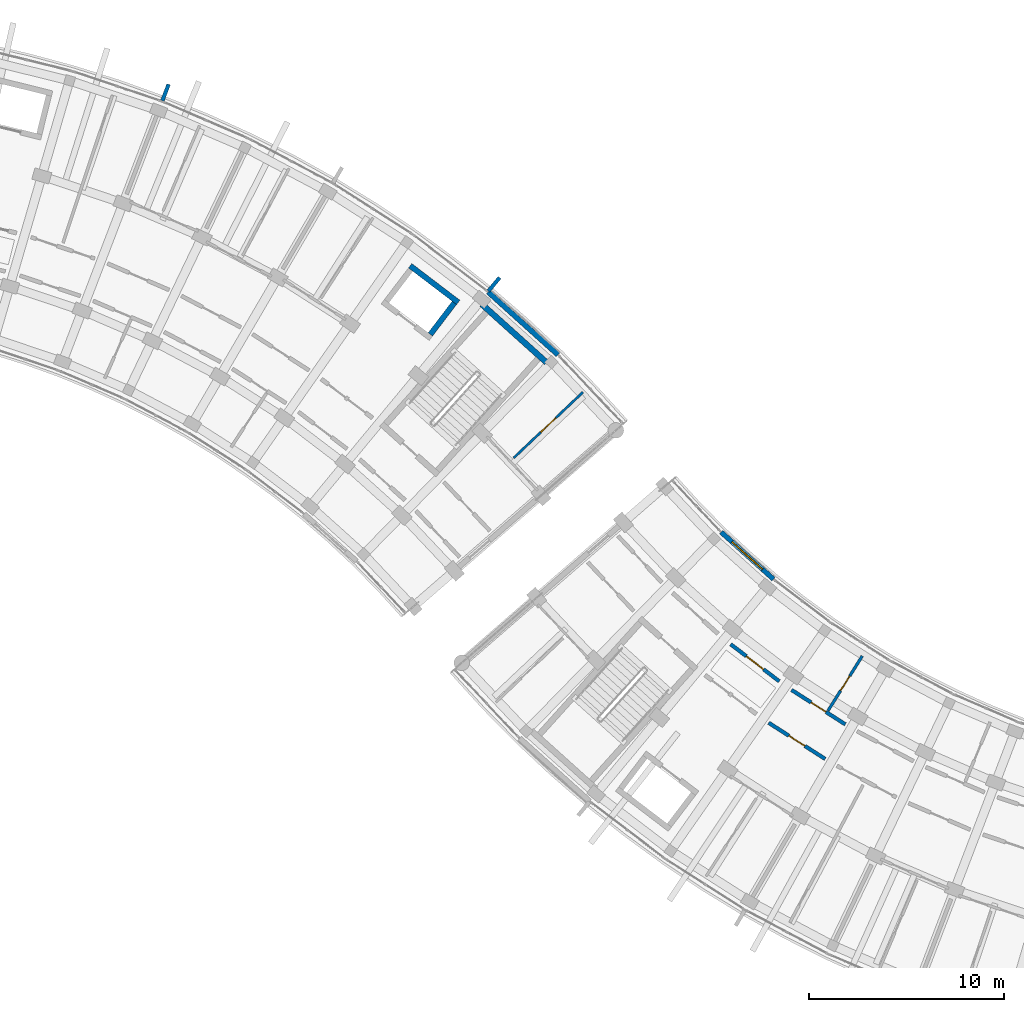
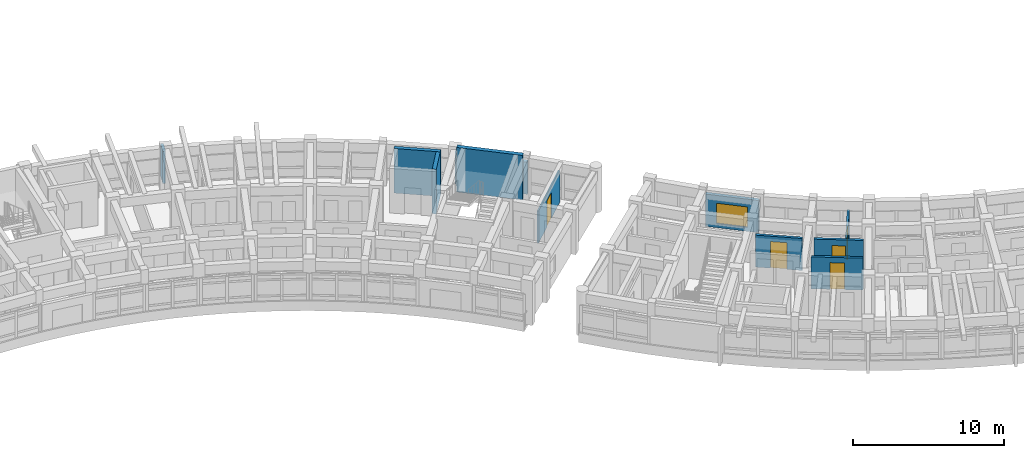
# One storey, part 65 of 83: 12 walls, 5 doors, 1 window, 6 openings.
"""IFC4 building model written with IfcOpenShell, lengths in metres."""

from ifc_helpers import new_model, si_unit, direction, frame, frame_2d, origin, place, context, subcontext, project, spatial, rectangle, extrude, material, layer, layer_set, type_object, element, fill, save


model = new_model("IFC4")

# Units and contexts
model_context = context("Model", 3, precision=1e-05, world=origin(), true_north=direction((0.0, 1.0)))
body_context = subcontext(model_context, "Body", "Model", "MODEL_VIEW")
ifc_project = project(units=[si_unit("LENGTHUNIT", "METRE"), si_unit("AREAUNIT", "SQUARE_METRE"), si_unit("VOLUMEUNIT", "CUBIC_METRE"), si_unit("PLANEANGLEUNIT", "RADIAN"), si_unit("MASSUNIT", "GRAM", prefix="KILO")], contexts=[model_context])

# Site, building, storey
site_placement = place(None, origin())
site = spatial("IfcSite", under=ifc_project, at=site_placement, CompositionType="ELEMENT")
building_placement = place(site_placement, origin())
building = spatial("IfcBuilding", under=site, at=building_placement, Name="Zimvara Arc Housing Community", CompositionType="ELEMENT")
storey_placement = place(building_placement, frame((0.0, 0.0, 4.5)))
storey = spatial("IfcBuildingStorey", under=building, at=storey_placement, Name="L01", CompositionType="ELEMENT", Elevation=4.5)

# Walls
ifc_material_1 = material(Name="Board-Marked Fair-Faced Concrete C35/45", Category="concrete")
ifc_layer_1 = layer(ifc_material_1, 0.195068359375)
ifc_layer_set_1 = layer_set([ifc_layer_1], Name="Board-Marked Fair-Faced Concrete C35/45")
wall_type_1 = type_object("IfcWallType", Name="EWL-PARA-195", PredefinedType="PARAPET", material=ifc_layer_set_1)
for number, where, z_axis, x_axis, name in (
    (1, (66.216796875, 100.0029296875, 0.0), (0.0, 0.0, 1.0), (0.356942580168, 0.934126326823, 0.0), "finwall:blkB:L01:out:b4"),
    (2, (82.90771484375, 90.25732421875, 0.0), (0.0, 0.0, 1.0), (0.637967316825, 0.770063440674, 0.0), "finwall:blkB:L01:out:b8"),
):
    element("IfcWall", number, at=place(storey_placement, frame(where, z_axis=z_axis, x_axis=x_axis)), inside=storey, type_object=wall_type_1, Name=name, PredefinedType="PARAPET", context=body_context, shape_type="SweptSolid", body=[
        extrude(rectangle(XDim=0.900146484375, YDim=0.195068359375, at=frame_2d((0.4501953125, 0.0))), origin(), (0.0, 0.0, 1.0), 2.60009765625),
    ])

# Wall, opening, window
ifc_material_2 = material(Name="Pigmented Fair-Faced Concrete C35/45", Category="concrete")
ifc_layer_2 = layer(ifc_material_2, 0.2451171875)
ifc_layer_set_2 = layer_set([ifc_layer_2], Name="Pigmented Fair-Faced Concrete C35/45")
wall_type_2 = type_object("IfcWallType", Name="EWL-PIGM-245", PredefinedType="SOLIDWALL", material=ifc_layer_set_2)
wall_1_placement = place(storey_placement, frame((94.8203125, 77.92333984375, 0.0), z_axis=(0.0, 0.0, 1.0), x_axis=(0.743385092197, -0.668863666751, 0.0)))
wall_1 = element("IfcWall", 3, at=wall_1_placement, inside=storey, type_object=wall_type_2, Name="ewall:blkC:L01:in:b1", PredefinedType="SOLIDWALL", context=body_context, shape_type="SweptSolid", body=[
    extrude(rectangle(XDim=3.603759765625, YDim=0.2451171875, at=frame_2d((1.8017578125, 0.0))), origin(), (0.0, 0.0, 1.0), 2.60009765625),
])
opening_1_placement = place(wall_1_placement, frame((0.751708984375, 0.0, 0.320068359375)))
opening_1 = element("IfcOpeningElement", 4, at=opening_1_placement, cuts=wall_1, Name="Opening W09", PredefinedType="OPENING", context=body_context, shape_type="SweptSolid", body=[
    extrude(rectangle(XDim=2.10009765625, YDim=1.64990234375, at=frame_2d((1.050048828125, 0.824951171875))), frame((0.0, 0.132568359375, 0.0), z_axis=(0.0, -1.0, 0.0), x_axis=(1.0, 0.0, 0.0)), (0.0, 0.0, 1.0), 0.26513671875),
])
ifc_material_3 = material(Name="Solar Control Low-E Double Glazing", Category="glass")
window_type = type_object("IfcWindowType", Name="WIN-RES-2100x1650", PartitioningType="TRIPLE_PANEL_VERTICAL", PredefinedType="WINDOW", material=ifc_material_3)
window_placement = place(opening_1_placement, origin())
window = element("IfcWindow", 5, at=window_placement, inside=storey, type_object=window_type, Name="win:blkC:L01:in:b1", OverallHeight=1.64990234375, OverallWidth=2.10009765625, PartitioningType="TRIPLE_PANEL_VERTICAL", PredefinedType="WINDOW", context=body_context, shape_type="SweptSolid", body=[
    extrude(rectangle(XDim=2.10009765625, YDim=1.64990234375, at=frame_2d((1.050048828125, 0.824951171875))), frame((0.0, 0.030029296875, 0.0), z_axis=(0.0, -1.0, 0.0), x_axis=(1.0, 0.0, 0.0)), (0.0, 0.0, 1.0), 0.06005859375),
])
fill(opening_1, window)

# Wall
ifc_material_4 = material(Name="Board-Marked Fair-Faced Concrete C35/45", Category="concrete")
ifc_layer_3 = layer(ifc_material_4, 0.26806640625)
ifc_layer_set_3 = layer_set([ifc_layer_3], Name="Board-Marked Fair-Faced Concrete C35/45")
wall_type_3 = type_object("IfcWallType", Name="EWL-VAR-21", PredefinedType="SOLIDWALL", material=ifc_layer_set_3)
wall_2_placement = place(storey_placement, frame((82.89697265625, 90.21337890625, 0.0), z_axis=(0.0, 0.0, 1.0), x_axis=(0.743387539862, -0.668860946369, 0.0)))
element("IfcWall", 6, at=wall_2_placement, inside=storey, type_object=wall_type_3, Name="ewall:blkB:L01:out:b8", PredefinedType="SOLIDWALL", context=body_context, shape_type="SweptSolid", body=[
    extrude(rectangle(XDim=4.80908203125, YDim=0.26806640625, at=frame_2d((2.404541015625, 0.0))), origin(), (0.0, 0.0, 1.0), 2.60009765625),
])

# Wall, opening, door
ifc_material_5 = material(Name="Concrete C35/45", Category="concrete")
ifc_layer_4 = layer(ifc_material_5, 0.18994140625)
ifc_layer_set_4 = layer_set([ifc_layer_4], Name="Concrete C35/45")
wall_type_4 = type_object("IfcWallType", Name="IWL-CORR-190", PredefinedType="SOLIDWALL", material=ifc_layer_set_4)
wall_3_placement = place(storey_placement, frame((95.30908203125, 72.18017578125, 0.0), z_axis=(0.0, 0.0, 1.0), x_axis=(0.795463961918, -0.606000895453, 0.0)))
wall_3 = element("IfcWall", 7, at=wall_3_placement, inside=storey, type_object=wall_type_4, Name="iwall:blkC:L01:ra_div:b2", PredefinedType="SOLIDWALL", context=body_context, shape_type="SweptSolid", body=[
    extrude(rectangle(XDim=3.128662109375, YDim=0.18994140625, at=frame_2d((1.564453125, 0.0))), origin(), (0.0, 0.0, 1.0), 2.580078125),
])
opening_2_placement = place(wall_3_placement, frame((1.00439453125, 0.0, 0.0)))
opening_2 = element("IfcOpeningElement", 8, at=opening_2_placement, cuts=wall_3, Name="Opening D07", PredefinedType="OPENING", context=body_context, shape_type="SweptSolid", body=[
    extrude(rectangle(XDim=1.1201171875, YDim=2.14990234375, at=frame_2d((0.56005859375, 1.074951171875))), frame((0.0, 0.10498046875, 0.0), z_axis=(0.0, -1.0, 0.0), x_axis=(1.0, 0.0, 0.0)), (0.0, 0.0, 1.0), 0.2099609375),
])
ifc_material_6 = material(Name="Mozambican Hardwood", Category="wood")
door_type_1 = type_object("IfcDoorType", Name="IDR-AMN-1120x2150", OperationType="NOTDEFINED", PredefinedType="DOOR", material=ifc_material_6)
door_1_placement = place(opening_2_placement, origin())
door_1 = element("IfcDoor", 9, at=door_1_placement, inside=storey, type_object=door_type_1, Name="idoor:blkC:L01:ra_d:b2", OperationType="SINGLE_SWING_LEFT", OverallHeight=2.14990234375, OverallWidth=1.1201171875, PredefinedType="DOOR", context=body_context, shape_type="SweptSolid", body=[
    extrude(rectangle(XDim=1.1201171875, YDim=2.14990234375, at=frame_2d((0.56005859375, 1.074951171875))), frame((0.0, 0.02490234375, 0.0), z_axis=(0.0, -1.0, 0.0), x_axis=(1.0, 0.0, 0.0)), (0.0, 0.0, 1.0), 0.050048828125),
])
fill(opening_2, door_1)

wall_4_placement = place(storey_placement, frame((97.252197265625, 68.160888671875, 0.0), z_axis=(0.0, 0.0, 1.0), x_axis=(0.842289466461, -0.53902546757, 0.0)))
wall_4 = element("IfcWall", 10, at=wall_4_placement, inside=storey, type_object=wall_type_4, Name="iwall:blkC:L01:corr_out:b3", PredefinedType="SOLIDWALL", context=body_context, shape_type="SweptSolid", body=[
    extrude(rectangle(XDim=3.43603515625, YDim=0.18994140625, at=frame_2d((1.718017578125, 0.0))), origin(), (0.0, 0.0, 1.0), 2.580078125),
])
opening_3_placement = place(wall_4_placement, frame((1.22802734375, 0.0, 0.0)))
opening_3 = element("IfcOpeningElement", 11, at=opening_3_placement, cuts=wall_4, Name="Opening FD-FL1", PredefinedType="OPENING", context=body_context, shape_type="SweptSolid", body=[
    extrude(rectangle(XDim=0.97998046875, YDim=2.14990234375, at=frame_2d((0.489990234375, 1.074951171875))), frame((0.0, 0.10498046875, 0.0), z_axis=(0.0, -1.0, 0.0), x_axis=(1.0, 0.0, 0.0)), (0.0, 0.0, 1.0), 0.2099609375),
])
ifc_material_7 = material(Name="Mozambican Hardwood", Category="wood")
door_type_2 = type_object("IfcDoorType", Name="IDR-FLAT-0980x2150", OperationType="NOTDEFINED", PredefinedType="DOOR", material=ifc_material_7)
door_2_placement = place(opening_3_placement, origin())
door_2 = element("IfcDoor", 12, at=door_2_placement, inside=storey, type_object=door_type_2, Name="idoor:blkC:L01:flat:b3", OperationType="SINGLE_SWING_RIGHT", OverallHeight=2.14990234375, OverallWidth=0.97998046875, PredefinedType="DOOR", context=body_context, shape_type="SweptSolid", body=[
    extrude(rectangle(XDim=0.97998046875, YDim=2.14990234375, at=frame_2d((0.489990234375, 1.074951171875))), frame((0.0, 0.02490234375, 0.0), z_axis=(0.0, -1.0, 0.0), x_axis=(1.0, 0.0, 0.0)), (0.0, 0.0, 1.0), 0.050048828125),
])
fill(opening_3, door_2)

wall_5_placement = place(storey_placement, frame((98.4267578125, 69.841064453125, 0.0), z_axis=(0.0, 0.0, 1.0), x_axis=(0.842280895761, -0.539038860043, 0.0)))
wall_5 = element("IfcWall", 13, at=wall_5_placement, inside=storey, type_object=wall_type_4, Name="iwall:blkC:L01:corr_in:b3", PredefinedType="SOLIDWALL", context=body_context, shape_type="SweptSolid", body=[
    extrude(rectangle(XDim=3.268798828125, YDim=0.18994140625, at=frame_2d((1.63427734375, 0.0))), origin(), (0.0, 0.0, 1.0), 2.580078125),
])
opening_4_placement = place(wall_5_placement, frame((1.184326171875, 0.0, 0.0)))
opening_4 = element("IfcOpeningElement", 14, at=opening_4_placement, cuts=wall_5, Name="Opening D01", PredefinedType="OPENING", context=body_context, shape_type="SweptSolid", body=[
    extrude(rectangle(XDim=0.89990234375, YDim=2.10009765625, at=frame_2d((0.449951171875, 1.050048828125))), frame((0.0, 0.10498046875, 0.0), z_axis=(0.0, -1.0, 0.0), x_axis=(1.0, 0.0, 0.0)), (0.0, 0.0, 1.0), 0.2099609375),
])
ifc_material_8 = material(Name="Mozambican Hardwood", Category="wood")
door_type_3 = type_object("IfcDoorType", Name="IDR-RM-0900x2100", OperationType="NOTDEFINED", PredefinedType="DOOR", material=ifc_material_8)
door_3_placement = place(opening_4_placement, origin())
door_3 = element("IfcDoor", 15, at=door_3_placement, inside=storey, type_object=door_type_3, Name="idoor:blkC:L01:in_rm:b3", OperationType="SINGLE_SWING_LEFT", OverallHeight=2.10009765625, OverallWidth=0.89990234375, PredefinedType="DOOR", context=body_context, shape_type="SweptSolid", body=[
    extrude(rectangle(XDim=0.89990234375, YDim=2.10009765625, at=frame_2d((0.449951171875, 1.050048828125))), frame((0.0, 0.02490234375, 0.0), z_axis=(0.0, -1.0, 0.0), x_axis=(1.0, 0.0, 0.0)), (0.0, 0.0, 1.0), 0.050048828125),
])
fill(opening_4, door_3)

ifc_material_9 = material(Name="Painted Acoustic Plasterboard")
ifc_layer_5 = layer(ifc_material_9, 0.1201171875)
ifc_layer_set_5 = layer_set([ifc_layer_5], Name="Painted Acoustic Plasterboard")
wall_type_5 = type_object("IfcWallType", Name="IWL-PART-120", PredefinedType="PARTITIONING", material=ifc_layer_set_5)
wall_6_placement = place(storey_placement, frame((84.1982421875, 81.71435546875, 0.0), z_axis=(0.0, 0.0, 1.0), x_axis=(0.725204659953, 0.688533369694, 0.0)))
wall_6 = element("IfcWall", 16, at=wall_6_placement, inside=storey, type_object=wall_type_5, Name="iwall:blkB:L01:bed_div:b9", PredefinedType="PARTITIONING", context=body_context, shape_type="SweptSolid", body=[
    extrude(rectangle(XDim=4.89990234375, YDim=0.1201171875, at=frame_2d((2.449951171875, 0.0))), origin(), (0.0, 0.0, 1.0), 2.580078125),
])
opening_5_placement = place(wall_6_placement, frame((1.919921875, 0.0, 0.0)))
opening_5 = element("IfcOpeningElement", 17, at=opening_5_placement, cuts=wall_6, Name="Opening D16", PredefinedType="OPENING", context=body_context, shape_type="SweptSolid", body=[
    extrude(rectangle(XDim=1.06005859375, YDim=2.10009765625, at=frame_2d((0.530029296875, 1.050048828125))), frame((0.0, 0.070068359375, 0.0), z_axis=(0.0, -1.0, 0.0), x_axis=(1.0, 0.0, 0.0)), (0.0, 0.0, 1.0), 0.14013671875),
])
ifc_material_10 = material(Name="Mozambican Hardwood", Category="wood")
door_type_4 = type_object("IfcDoorType", Name="IDR-MOD-1060x2220", OperationType="NOTDEFINED", PredefinedType="DOOR", material=ifc_material_10)
door_4_placement = place(opening_5_placement, origin())
door_4 = element("IfcDoor", 18, at=door_4_placement, inside=storey, type_object=door_type_4, Name="idoor:blkB:L01:bed_d:b9", OperationType="SINGLE_SWING_RIGHT", OverallHeight=2.10009765625, OverallWidth=1.06005859375, PredefinedType="DOOR", context=body_context, shape_type="SweptSolid", body=[
    extrude(rectangle(XDim=1.06005859375, YDim=2.10009765625, at=frame_2d((0.530029296875, 1.050048828125))), frame((0.0, 0.02490234375, 0.0), z_axis=(0.0, -1.0, 0.0), x_axis=(1.0, 0.0, 0.0)), (0.0, 0.0, 1.0), 0.050048828125),
])
fill(opening_5, door_4)

ifc_material_11 = material(Name="Painted Acoustic Plasterboard")
ifc_layer_6 = layer(ifc_material_11, 0.14501953125)
ifc_layer_set_6 = layer_set([ifc_layer_6], Name="Painted Acoustic Plasterboard")
wall_type_6 = type_object("IfcWallType", Name="IWL-WET-145", PredefinedType="PARTITIONING", material=ifc_layer_set_6)
wall_7_placement = place(storey_placement, frame((102.0439453125, 71.576904296875, 0.0), z_axis=(0.0, 0.0, 1.0), x_axis=(-0.53015188203, -0.847902696057, 0.0)))
wall_7 = element("IfcWall", 19, at=wall_7_placement, inside=storey, type_object=wall_type_6, Name="iwall:blkC:L01:ens:b3", PredefinedType="PARTITIONING", context=body_context, shape_type="SweptSolid", body=[
    extrude(rectangle(XDim=3.300048828125, YDim=0.14501953125, at=frame_2d((1.64990234375, 0.0))), origin(), (0.0, 0.0, 1.0), 2.580078125),
])
opening_6_placement = place(wall_7_placement, frame((1.2099609375, 0.0, 0.0)))
opening_6 = element("IfcOpeningElement", 20, at=opening_6_placement, cuts=wall_7, Name="Opening D05", PredefinedType="OPENING", context=body_context, shape_type="SweptSolid", body=[
    extrude(rectangle(XDim=0.8798828125, YDim=2.10009765625, at=frame_2d((0.43994140625, 1.050048828125))), frame((0.0, 0.08251953125, 0.0), z_axis=(0.0, -1.0, 0.0), x_axis=(1.0, 0.0, 0.0)), (0.0, 0.0, 1.0), 0.1650390625),
])
ifc_material_12 = material(Name="Mozambican Hardwood", Category="wood")
door_type_5 = type_object("IfcDoorType", Name="IDR-WC-0880x2100", OperationType="NOTDEFINED", PredefinedType="DOOR", material=ifc_material_12)
door_5_placement = place(opening_6_placement, origin())
door_5 = element("IfcDoor", 21, at=door_5_placement, inside=storey, type_object=door_type_5, Name="idoor:blkC:L01:ens_d:b3", OperationType="SINGLE_SWING_RIGHT", OverallHeight=2.10009765625, OverallWidth=0.8798828125, PredefinedType="DOOR", context=body_context, shape_type="SweptSolid", body=[
    extrude(rectangle(XDim=0.8798828125, YDim=2.10009765625, at=frame_2d((0.43994140625, 1.050048828125))), frame((0.0, 0.02490234375, 0.0), z_axis=(0.0, -1.0, 0.0), x_axis=(1.0, 0.0, 0.0)), (0.0, 0.0, 1.0), 0.050048828125),
])
fill(opening_6, door_5)

# Walls
ifc_material_13 = material(Name="Concrete C40/50", Category="concrete")
ifc_layer_7 = layer(ifc_material_13, 0.280029296875)
ifc_layer_set_7 = layer_set([ifc_layer_7], Name="Concrete C40/50")
wall_type_7 = type_object("IfcWallType", Name="WL-CORE-280", PredefinedType="SHEAR", material=ifc_layer_set_7)
wall_8_placement = place(storey_placement, frame((81.361083984375, 89.681396484375, 0.0), z_axis=(0.0, 0.0, 1.0), x_axis=(-0.795502452183, 0.605950368076, 0.0)))
element("IfcWall", 22, at=wall_8_placement, inside=storey, type_object=wall_type_7, Name="lwall:LP-B2:L01:back", PredefinedType="SHEAR", context=body_context, shape_type="SweptSolid", body=[
    extrude(rectangle(XDim=3.08984375, YDim=0.280029296875, at=frame_2d((1.544921875, 0.0))), origin(), (0.0, 0.0, 1.0), 3.60009765625),
])
wall_9_placement = place(storey_placement, frame((79.934814453125, 88.0400390625, 0.0), z_axis=(0.0, 0.0, 1.0), x_axis=(0.606025097418, 0.795445523779, 0.0)))
element("IfcWall", 23, at=wall_9_placement, inside=storey, type_object=wall_type_7, Name="lwall:LP-B2:L01:left", PredefinedType="SHEAR", context=body_context, shape_type="SweptSolid", body=[
    extrude(rectangle(XDim=2.030029296875, YDim=0.280029296875, at=frame_2d((1.01513671875, 0.0))), origin(), (0.0, 0.0, 1.0), 3.60009765625),
])
ifc_material_14 = material(Name="Concrete C40/50", Category="concrete")
ifc_layer_8 = layer(ifc_material_14, 0.300048828125)
ifc_layer_set_8 = layer_set([ifc_layer_8], Name="Concrete C40/50")
wall_type_8 = type_object("IfcWallType", Name="WL-CORE-300", PredefinedType="SHEAR", material=ifc_layer_set_8)
wall_10_placement = place(storey_placement, frame((85.887451171875, 86.6005859375, 0.0), z_axis=(0.0, 0.0, 1.0), x_axis=(-0.743400052815, 0.668847038922, 0.0)))
element("IfcWall", 24, at=wall_10_placement, inside=storey, type_object=wall_type_8, Name="cwall:ST-B2:L01:far", PredefinedType="SHEAR", context=body_context, shape_type="SweptSolid", body=[
    extrude(rectangle(XDim=4.469970703125, YDim=0.300048828125, at=frame_2d((2.23486328125, 0.0))), origin(), (0.0, 0.0, 1.0), 3.60009765625),
])

save(model, "model.ifc")
